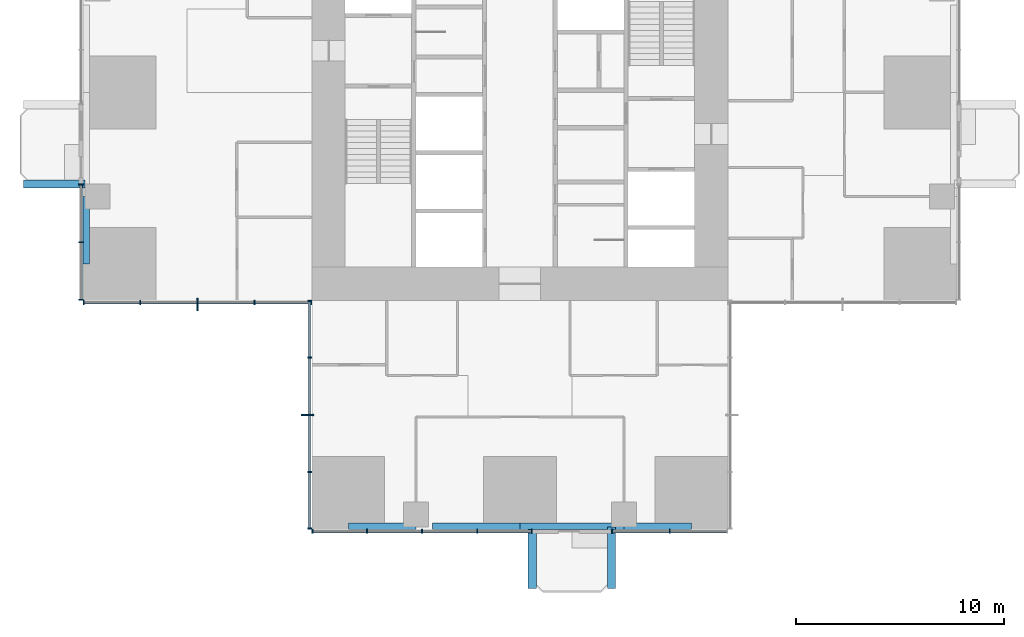
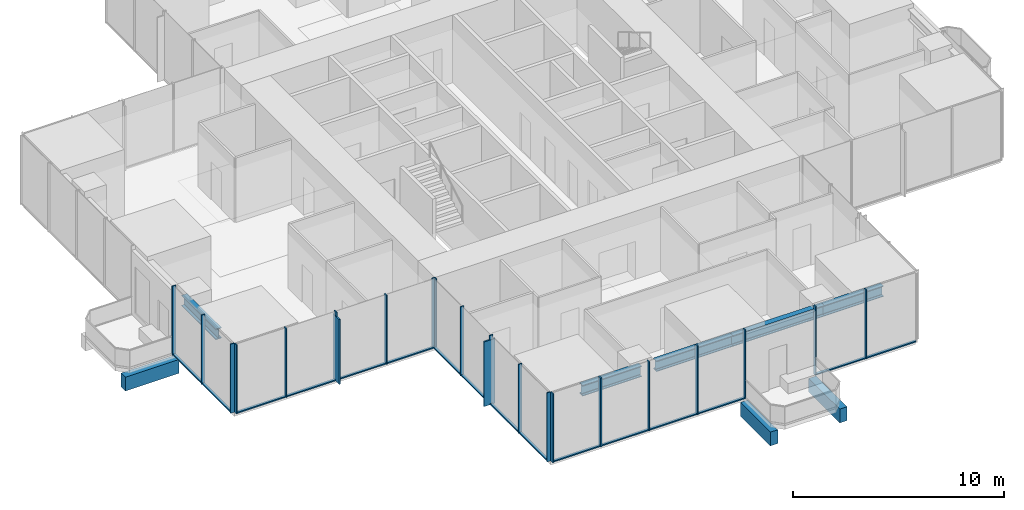
# One storey, part 2 of 13: 38 members, 8 beams, 5 elements without a shape of their own.
"""IFC4 building model written with IfcOpenShell, lengths in metres."""

from ifc_helpers import new_model, si_unit, direction, frame, origin, origin_2d, place, context, subcontext, project, spatial, rectangle, i_section, extrude, material, material_profile, profile_set, type_object, element, aggregate, save


model = new_model("IFC4")

# Units and contexts
model_context = context("Model", 3, precision=1e-05, world=origin(), true_north=direction((0.0, 1.0)))
body_context = subcontext(model_context, "Body", "Model", "MODEL_VIEW")
ifc_project = project(units=[si_unit("LENGTHUNIT", "METRE"), si_unit("AREAUNIT", "SQUARE_METRE"), si_unit("VOLUMEUNIT", "CUBIC_METRE"), si_unit("PLANEANGLEUNIT", "RADIAN"), si_unit("MASSUNIT", "GRAM", prefix="KILO")], contexts=[model_context])

# Site, building, storey
site_placement = place(None, origin())
site = spatial("IfcSite", under=ifc_project, at=site_placement, CompositionType="ELEMENT")
building_placement = place(site_placement, origin())
building = spatial("IfcBuilding", under=site, at=building_placement, Name="Svetlomir Tower", CompositionType="ELEMENT")
storey_placement = place(building_placement, frame((0.0, 0.0, 96.5)))
storey = spatial("IfcBuildingStorey", under=building, at=storey_placement, Name="L22", CompositionType="ELEMENT", Elevation=96.5)

# Beams
ifc_material_1 = material(Name="Concrete C60/75", Category="concrete")
ifc_material_profile_1 = material_profile(ifc_material_1, rectangle(XDim=0.39990234375, YDim=0.800048828125, at=origin_2d()), Name="RC 400x800")
ifc_profile_set_1 = profile_set([ifc_material_profile_1], Name="Concrete C60/75")
beam_type_1 = type_object("IfcBeamType", Name="BALCONY RIB RC 400x800", PredefinedType="BEAM", material=ifc_profile_set_1)
beam_1_placement = place(storey_placement, frame((21.60009765625, 0.0, -0.64990234375), z_axis=(0.0, -1.0, 0.0), x_axis=(1.0, 0.0, 0.0)))
element("IfcBeam", 1, at=beam_1_placement, inside=storey, type_object=beam_type_1, Name="Balcony rib S 1 L22", PredefinedType="BEAM", context=body_context, shape_type="SweptSolid", body=[
    extrude(rectangle(XDim=0.39990234375, YDim=0.800048828125, at=origin_2d()), origin(), (0.0, 0.0, 1.0), 2.85009765625),
])
for number, where, z_axis, x_axis, name in (
    (2, (25.39990234375, 0.10009765625, -0.64990234375), (0.0, -1.0, 0.0), (1.0, 0.0, 0.0), "Balcony rib S 2 L22"),
    (3, (0.10009765625, 16.60009765625, -0.64990234375), (-1.0, 0.0, 0.0), (0.0, -1.0, 0.0), "Balcony rib W 1 L22"),
):
    element("IfcBeam", number, at=place(storey_placement, frame(where, z_axis=z_axis, x_axis=x_axis)), inside=storey, type_object=beam_type_1, Name=name, PredefinedType="BEAM", context=body_context, shape_type="SweptSolid", body=[
        extrude(rectangle(XDim=0.39990234375, YDim=0.800048828125, at=origin_2d()), origin(), (0.0, 0.0, 1.0), 2.9501953125),
    ])

# Curtain wall, member
ifc_material_2 = material(Name="Bronze anodised aluminium curtain wall", Category="aluminium")
curtain_wall_type = type_object("IfcCurtainWallType", Name="CURTAIN WALL CW1 TOWER OFFICE", PredefinedType="NOTDEFINED", material=ifc_material_2)
curtain_wall_1_placement = place(storey_placement, origin())
curtain_wall_1 = element("IfcCurtainWall", 4, at=curtain_wall_1_placement, inside=storey, type_object=curtain_wall_type, Name="Curtain wall CW1 L22", PredefinedType="NOTDEFINED")
ifc_material_3 = material(Name="Bronze anodised aluminium", Category="aluminium")
ifc_material_profile_2 = material_profile(ifc_material_3, rectangle(XDim=0.080078125, YDim=0.60009765625, at=origin_2d()), Name="FIN 80x600")
ifc_profile_set_2 = profile_set([ifc_material_profile_2], Name="Bronze anodised aluminium 6063-T6")
member_type_1 = type_object("IfcMemberType", Name="BRONZE FIN 80x600", PredefinedType="USERDEFINED", material=ifc_profile_set_2)
member_1_placement = place(storey_placement, frame((5.5, 10.800048828125, 0.0), z_axis=(0.0, 0.0, 1.0), x_axis=(1.0, 0.0, 0.0)))
member_1 = element("IfcMember", 5, at=member_1_placement, type_object=member_type_1, Name="Bronze fin L22", ObjectType="FIN", PredefinedType="USERDEFINED", context=body_context, shape_type="SweptSolid", body=[
    extrude(rectangle(XDim=0.080078125, YDim=0.60009765625, at=origin_2d()), origin(), (0.0, 0.0, 1.0), 3.75),
])

curtain_wall_2_placement = place(storey_placement, origin())
curtain_wall_2 = element("IfcCurtainWall", 6, at=curtain_wall_2_placement, inside=storey, type_object=curtain_wall_type, Name="Curtain wall CW1 L22", PredefinedType="NOTDEFINED")
member_2_placement = place(storey_placement, frame((10.800048828125, 5.5, 0.0), z_axis=(0.0, 0.0, 1.0), x_axis=(0.0, 1.0, 0.0)))
member_2 = element("IfcMember", 7, at=member_2_placement, type_object=member_type_1, Name="Bronze fin L22", ObjectType="FIN", PredefinedType="USERDEFINED", context=body_context, shape_type="SweptSolid", body=[
    extrude(rectangle(XDim=0.080078125, YDim=0.60009765625, at=origin_2d()), origin(), (0.0, 0.0, 1.0), 3.75),
])

# Curtain wall, members
curtain_wall_3_placement = place(storey_placement, origin())
curtain_wall_3 = element("IfcCurtainWall", 8, at=curtain_wall_3_placement, inside=storey, type_object=curtain_wall_type, Name="Curtain wall CW1 L22", PredefinedType="NOTDEFINED")
ifc_material_4 = material(Name="Bronze anodised aluminium", Category="aluminium")
ifc_material_profile_3 = material_profile(ifc_material_4, rectangle(XDim=0.06494140625, YDim=0.199951171875, at=origin_2d()), Name="AL 65x200")
ifc_profile_set_3 = profile_set([ifc_material_profile_3], Name="Bronze anodised aluminium 6063-T6")
member_type_2 = type_object("IfcMemberType", Name="CW1 MULLION 65x200", PredefinedType="MULLION", material=ifc_profile_set_3)
member_3_placement = place(storey_placement, frame((11.032470703125, -0.10009765625, 0.0), z_axis=(0.0, 0.0, 1.0), x_axis=(1.0, 0.0, 0.0)))
member_3 = element("IfcMember", 9, at=member_3_placement, type_object=member_type_2, Name="CW1 mullion 1", PredefinedType="MULLION", context=body_context, shape_type="SweptSolid", body=[
    extrude(rectangle(XDim=0.06494140625, YDim=0.199951171875, at=origin_2d()), origin(), (0.0, 0.0, 1.0), 4.0),
])
member_4_placement = place(storey_placement, frame((13.64990234375, -0.10009765625, 0.0), z_axis=(0.0, 0.0, 1.0), x_axis=(1.0, 0.0, 0.0)))
member_4 = element("IfcMember", 10, at=member_4_placement, type_object=member_type_2, Name="CW1 mullion 2", PredefinedType="MULLION", context=body_context, shape_type="SweptSolid", body=[
    extrude(rectangle(XDim=0.06494140625, YDim=0.199951171875, at=origin_2d()), origin(), (0.0, 0.0, 1.0), 4.0),
])
member_5_placement = place(storey_placement, frame((16.300048828125, -0.10009765625, 0.0), z_axis=(0.0, 0.0, 1.0), x_axis=(1.0, 0.0, 0.0)))
member_5 = element("IfcMember", 11, at=member_5_placement, type_object=member_type_2, Name="CW1 mullion 3", PredefinedType="MULLION", context=body_context, shape_type="SweptSolid", body=[
    extrude(rectangle(XDim=0.06494140625, YDim=0.199951171875, at=origin_2d()), origin(), (0.0, 0.0, 1.0), 4.0),
])
member_6_placement = place(storey_placement, frame((18.949951171875, -0.10009765625, 0.0), z_axis=(0.0, 0.0, 1.0), x_axis=(1.0, 0.0, 0.0)))
member_6 = element("IfcMember", 12, at=member_6_placement, type_object=member_type_2, Name="CW1 mullion 4", PredefinedType="MULLION", context=body_context, shape_type="SweptSolid", body=[
    extrude(rectangle(XDim=0.06494140625, YDim=0.199951171875, at=origin_2d()), origin(), (0.0, 0.0, 1.0), 4.0),
])
member_7_placement = place(storey_placement, frame((21.5673828125, -0.10009765625, 0.0), z_axis=(0.0, 0.0, 1.0), x_axis=(1.0, 0.0, 0.0)))
member_7 = element("IfcMember", 13, at=member_7_placement, type_object=member_type_2, Name="CW1 mullion 5", PredefinedType="MULLION", context=body_context, shape_type="SweptSolid", body=[
    extrude(rectangle(XDim=0.06494140625, YDim=0.199951171875, at=origin_2d()), origin(), (0.0, 0.0, 1.0), 4.0),
])

curtain_wall_4_placement = place(storey_placement, origin())
curtain_wall_4 = element("IfcCurtainWall", 14, at=curtain_wall_4_placement, inside=storey, type_object=curtain_wall_type, Name="Curtain wall CW1 L22", PredefinedType="NOTDEFINED")
member_8_placement = place(storey_placement, frame((25.4326171875, -0.10009765625, 0.0), z_axis=(0.0, 0.0, 1.0), x_axis=(1.0, 0.0, 0.0)))
member_8 = element("IfcMember", 15, at=member_8_placement, type_object=member_type_2, Name="CW1 mullion 1", PredefinedType="MULLION", context=body_context, shape_type="SweptSolid", body=[
    extrude(rectangle(XDim=0.06494140625, YDim=0.199951171875, at=origin_2d()), origin(), (0.0, 0.0, 1.0), 4.0),
])
member_9_placement = place(storey_placement, frame((28.199951171875, -0.10009765625, 0.0), z_axis=(0.0, 0.0, 1.0), x_axis=(1.0, 0.0, 0.0)))
member_9 = element("IfcMember", 16, at=member_9_placement, type_object=member_type_2, Name="CW1 mullion 2", PredefinedType="MULLION", context=body_context, shape_type="SweptSolid", body=[
    extrude(rectangle(XDim=0.06494140625, YDim=0.199951171875, at=origin_2d()), origin(), (0.0, 0.0, 1.0), 4.0),
])

curtain_wall_5_placement = place(storey_placement, origin())
curtain_wall_5 = element("IfcCurtainWall", 17, at=curtain_wall_5_placement, inside=storey, type_object=curtain_wall_type, Name="Curtain wall CW1 L22", PredefinedType="NOTDEFINED")
member_10_placement = place(storey_placement, frame((-0.10009765625, 16.5673828125, 0.0), z_axis=(0.0, 0.0, 1.0), x_axis=(0.0, -1.0, 0.0)))
member_10 = element("IfcMember", 18, at=member_10_placement, type_object=member_type_2, Name="CW1 mullion 1", PredefinedType="MULLION", context=body_context, shape_type="SweptSolid", body=[
    extrude(rectangle(XDim=0.06494140625, YDim=0.199951171875, at=origin_2d()), origin(), (0.0, 0.0, 1.0), 4.0),
])
member_11_placement = place(storey_placement, frame((-0.10009765625, 13.800048828125, 0.0), z_axis=(0.0, 0.0, 1.0), x_axis=(0.0, -1.0, 0.0)))
member_11 = element("IfcMember", 19, at=member_11_placement, type_object=member_type_2, Name="CW1 mullion 2", PredefinedType="MULLION", context=body_context, shape_type="SweptSolid", body=[
    extrude(rectangle(XDim=0.06494140625, YDim=0.199951171875, at=origin_2d()), origin(), (0.0, 0.0, 1.0), 4.0),
])
member_12_placement = place(storey_placement, frame((-0.10009765625, 11.032470703125, 0.0), z_axis=(0.0, 0.0, 1.0), x_axis=(0.0, -1.0, 0.0)))
member_12 = element("IfcMember", 20, at=member_12_placement, type_object=member_type_2, Name="CW1 mullion 3", PredefinedType="MULLION", context=body_context, shape_type="SweptSolid", body=[
    extrude(rectangle(XDim=0.06494140625, YDim=0.199951171875, at=origin_2d()), origin(), (0.0, 0.0, 1.0), 4.0),
])

# Member
member_13_placement = place(storey_placement, frame((0.032470703125, 10.89990234375, 0.0), z_axis=(0.0, 0.0, 1.0), x_axis=(1.0, 0.0, 0.0)))
member_13 = element("IfcMember", 21, at=member_13_placement, type_object=member_type_2, Name="CW1 mullion 1", PredefinedType="MULLION", context=body_context, shape_type="SweptSolid", body=[
    extrude(rectangle(XDim=0.06494140625, YDim=0.199951171875, at=origin_2d()), origin(), (0.0, 0.0, 1.0), 4.0),
])

member_14_placement = place(storey_placement, frame((2.75, 10.89990234375, 0.0), z_axis=(0.0, 0.0, 1.0), x_axis=(1.0, 0.0, 0.0)))
member_14 = element("IfcMember", 22, at=member_14_placement, type_object=member_type_2, Name="CW1 mullion 2", PredefinedType="MULLION", context=body_context, shape_type="SweptSolid", body=[
    extrude(rectangle(XDim=0.06494140625, YDim=0.199951171875, at=origin_2d()), origin(), (0.0, 0.0, 1.0), 4.0),
])

member_15_placement = place(storey_placement, frame((5.5, 10.89990234375, 0.0), z_axis=(0.0, 0.0, 1.0), x_axis=(1.0, 0.0, 0.0)))
member_15 = element("IfcMember", 23, at=member_15_placement, type_object=member_type_2, Name="CW1 mullion 3", PredefinedType="MULLION", context=body_context, shape_type="SweptSolid", body=[
    extrude(rectangle(XDim=0.06494140625, YDim=0.199951171875, at=origin_2d()), origin(), (0.0, 0.0, 1.0), 4.0),
])

member_16_placement = place(storey_placement, frame((8.25, 10.89990234375, 0.0), z_axis=(0.0, 0.0, 1.0), x_axis=(1.0, 0.0, 0.0)))
member_16 = element("IfcMember", 24, at=member_16_placement, type_object=member_type_2, Name="CW1 mullion 4", PredefinedType="MULLION", context=body_context, shape_type="SweptSolid", body=[
    extrude(rectangle(XDim=0.06494140625, YDim=0.199951171875, at=origin_2d()), origin(), (0.0, 0.0, 1.0), 4.0),
])

member_17_placement = place(storey_placement, frame((10.967529296875, 10.89990234375, 0.0), z_axis=(0.0, 0.0, 1.0), x_axis=(1.0, 0.0, 0.0)))
member_17 = element("IfcMember", 25, at=member_17_placement, type_object=member_type_2, Name="CW1 mullion 5", PredefinedType="MULLION", context=body_context, shape_type="SweptSolid", body=[
    extrude(rectangle(XDim=0.06494140625, YDim=0.199951171875, at=origin_2d()), origin(), (0.0, 0.0, 1.0), 4.0),
])

member_18_placement = place(storey_placement, frame((10.89990234375, 10.967529296875, 0.0), z_axis=(0.0, 0.0, 1.0), x_axis=(0.0, -1.0, 0.0)))
member_18 = element("IfcMember", 26, at=member_18_placement, type_object=member_type_2, Name="CW1 mullion 1", PredefinedType="MULLION", context=body_context, shape_type="SweptSolid", body=[
    extrude(rectangle(XDim=0.06494140625, YDim=0.199951171875, at=origin_2d()), origin(), (0.0, 0.0, 1.0), 4.0),
])

member_19_placement = place(storey_placement, frame((10.89990234375, 8.25, 0.0), z_axis=(0.0, 0.0, 1.0), x_axis=(0.0, -1.0, 0.0)))
member_19 = element("IfcMember", 27, at=member_19_placement, type_object=member_type_2, Name="CW1 mullion 2", PredefinedType="MULLION", context=body_context, shape_type="SweptSolid", body=[
    extrude(rectangle(XDim=0.06494140625, YDim=0.199951171875, at=origin_2d()), origin(), (0.0, 0.0, 1.0), 4.0),
])

member_20_placement = place(storey_placement, frame((10.89990234375, 5.5, 0.0), z_axis=(0.0, 0.0, 1.0), x_axis=(0.0, -1.0, 0.0)))
member_20 = element("IfcMember", 28, at=member_20_placement, type_object=member_type_2, Name="CW1 mullion 3", PredefinedType="MULLION", context=body_context, shape_type="SweptSolid", body=[
    extrude(rectangle(XDim=0.06494140625, YDim=0.199951171875, at=origin_2d()), origin(), (0.0, 0.0, 1.0), 4.0),
])

member_21_placement = place(storey_placement, frame((10.89990234375, 2.75, 0.0), z_axis=(0.0, 0.0, 1.0), x_axis=(0.0, -1.0, 0.0)))
member_21 = element("IfcMember", 29, at=member_21_placement, type_object=member_type_2, Name="CW1 mullion 4", PredefinedType="MULLION", context=body_context, shape_type="SweptSolid", body=[
    extrude(rectangle(XDim=0.06494140625, YDim=0.199951171875, at=origin_2d()), origin(), (0.0, 0.0, 1.0), 4.0),
])

member_22_placement = place(storey_placement, frame((10.89990234375, 0.032470703125, 0.0), z_axis=(0.0, 0.0, 1.0), x_axis=(0.0, -1.0, 0.0)))
member_22 = element("IfcMember", 30, at=member_22_placement, type_object=member_type_2, Name="CW1 mullion 5", PredefinedType="MULLION", context=body_context, shape_type="SweptSolid", body=[
    extrude(rectangle(XDim=0.06494140625, YDim=0.199951171875, at=origin_2d()), origin(), (0.0, 0.0, 1.0), 4.0),
])

ifc_material_5 = material(Name="Bronze anodised aluminium", Category="aluminium")
ifc_material_profile_4 = material_profile(ifc_material_5, rectangle(XDim=0.139892578125, YDim=0.06494140625, at=origin_2d()), Name="AL 140x65")
ifc_profile_set_4 = profile_set([ifc_material_profile_4], Name="Bronze anodised aluminium 6063-T6")
member_type_3 = type_object("IfcMemberType", Name="CW1 TRANSOM 65x140", PredefinedType="USERDEFINED", material=ifc_profile_set_4)
member_23_placement = place(storey_placement, frame((11.06494140625, -0.10009765625, 0.032470703125), z_axis=(1.0, 0.0, 0.0), x_axis=(0.0, 1.0, 0.0)))
member_23 = element("IfcMember", 31, at=member_23_placement, type_object=member_type_3, Name="CW1 transom 1.1", ObjectType="TRANSOM", PredefinedType="USERDEFINED", context=body_context, shape_type="SweptSolid", body=[
    extrude(rectangle(XDim=0.139892578125, YDim=0.06494140625, at=origin_2d()), origin(), (0.0, 0.0, 1.0), 2.552490234375),
])

member_24_placement = place(storey_placement, frame((13.6826171875, -0.10009765625, 0.032470703125), z_axis=(1.0, 0.0, 0.0), x_axis=(0.0, 1.0, 0.0)))
member_24 = element("IfcMember", 32, at=member_24_placement, type_object=member_type_3, Name="CW1 transom 2.1", ObjectType="TRANSOM", PredefinedType="USERDEFINED", context=body_context, shape_type="SweptSolid", body=[
    extrude(rectangle(XDim=0.139892578125, YDim=0.06494140625, at=origin_2d()), origin(), (0.0, 0.0, 1.0), 2.5849609375),
])

member_25_placement = place(storey_placement, frame((16.33251953125, -0.10009765625, 0.032470703125), z_axis=(1.0, 0.0, 0.0), x_axis=(0.0, 1.0, 0.0)))
member_25 = element("IfcMember", 33, at=member_25_placement, type_object=member_type_3, Name="CW1 transom 3.1", ObjectType="TRANSOM", PredefinedType="USERDEFINED", context=body_context, shape_type="SweptSolid", body=[
    extrude(rectangle(XDim=0.139892578125, YDim=0.06494140625, at=origin_2d()), origin(), (0.0, 0.0, 1.0), 2.5849609375),
])

member_26_placement = place(storey_placement, frame((18.982421875, -0.10009765625, 0.032470703125), z_axis=(1.0, 0.0, 0.0), x_axis=(0.0, 1.0, 0.0)))
member_26 = element("IfcMember", 34, at=member_26_placement, type_object=member_type_3, Name="CW1 transom 4.1", ObjectType="TRANSOM", PredefinedType="USERDEFINED", context=body_context, shape_type="SweptSolid", body=[
    extrude(rectangle(XDim=0.139892578125, YDim=0.06494140625, at=origin_2d()), origin(), (0.0, 0.0, 1.0), 2.552490234375),
])

aggregate(curtain_wall_3, [member_3, member_4, member_5, member_6, member_7, member_23, member_24, member_25, member_26])

member_27_placement = place(storey_placement, frame((25.465087890625, -0.10009765625, 0.032470703125), z_axis=(1.0, 0.0, 0.0), x_axis=(0.0, 1.0, 0.0)))
member_27 = element("IfcMember", 35, at=member_27_placement, type_object=member_type_3, Name="CW1 transom 1.1", ObjectType="TRANSOM", PredefinedType="USERDEFINED", context=body_context, shape_type="SweptSolid", body=[
    extrude(rectangle(XDim=0.139892578125, YDim=0.06494140625, at=origin_2d()), origin(), (0.0, 0.0, 1.0), 2.702392578125),
])

member_28_placement = place(storey_placement, frame((28.232421875, -0.10009765625, 0.032470703125), z_axis=(1.0, 0.0, 0.0), x_axis=(0.0, 1.0, 0.0)))
member_28 = element("IfcMember", 36, at=member_28_placement, type_object=member_type_3, Name="CW1 transom 2.1", ObjectType="TRANSOM", PredefinedType="USERDEFINED", context=body_context, shape_type="SweptSolid", body=[
    extrude(rectangle(XDim=0.139892578125, YDim=0.06494140625, at=origin_2d()), origin(), (0.0, 0.0, 1.0), 2.70263671875),
])

aggregate(curtain_wall_4, [member_8, member_9, member_27, member_28])

member_29_placement = place(storey_placement, frame((-0.10009765625, 16.534912109375, 0.032470703125), z_axis=(0.0, -1.0, 0.0), x_axis=(1.0, 0.0, 0.0)))
member_29 = element("IfcMember", 37, at=member_29_placement, type_object=member_type_3, Name="CW1 transom 1.1", ObjectType="TRANSOM", PredefinedType="USERDEFINED", context=body_context, shape_type="SweptSolid", body=[
    extrude(rectangle(XDim=0.139892578125, YDim=0.06494140625, at=origin_2d()), origin(), (0.0, 0.0, 1.0), 2.702392578125),
])

member_30_placement = place(storey_placement, frame((-0.10009765625, 13.767578125, 0.032470703125), z_axis=(0.0, -1.0, 0.0), x_axis=(1.0, 0.0, 0.0)))
member_30 = element("IfcMember", 38, at=member_30_placement, type_object=member_type_3, Name="CW1 transom 2.1", ObjectType="TRANSOM", PredefinedType="USERDEFINED", context=body_context, shape_type="SweptSolid", body=[
    extrude(rectangle(XDim=0.139892578125, YDim=0.06494140625, at=origin_2d()), origin(), (0.0, 0.0, 1.0), 2.70263671875),
])

aggregate(curtain_wall_5, [member_10, member_11, member_12, member_29, member_30])

member_31_placement = place(storey_placement, frame((0.06494140625, 10.89990234375, 0.032470703125), z_axis=(1.0, 0.0, 0.0), x_axis=(0.0, 1.0, 0.0)))
member_31 = element("IfcMember", 39, at=member_31_placement, type_object=member_type_3, Name="CW1 transom 1.1", ObjectType="TRANSOM", PredefinedType="USERDEFINED", context=body_context, shape_type="SweptSolid", body=[
    extrude(rectangle(XDim=0.139892578125, YDim=0.06494140625, at=origin_2d()), origin(), (0.0, 0.0, 1.0), 2.652587890625),
])

member_32_placement = place(storey_placement, frame((2.782470703125, 10.89990234375, 0.032470703125), z_axis=(1.0, 0.0, 0.0), x_axis=(0.0, 1.0, 0.0)))
member_32 = element("IfcMember", 40, at=member_32_placement, type_object=member_type_3, Name="CW1 transom 2.1", ObjectType="TRANSOM", PredefinedType="USERDEFINED", context=body_context, shape_type="SweptSolid", body=[
    extrude(rectangle(XDim=0.139892578125, YDim=0.06494140625, at=origin_2d()), origin(), (0.0, 0.0, 1.0), 2.68505859375),
])

member_33_placement = place(storey_placement, frame((5.532470703125, 10.89990234375, 0.032470703125), z_axis=(1.0, 0.0, 0.0), x_axis=(0.0, 1.0, 0.0)))
member_33 = element("IfcMember", 41, at=member_33_placement, type_object=member_type_3, Name="CW1 transom 3.1", ObjectType="TRANSOM", PredefinedType="USERDEFINED", context=body_context, shape_type="SweptSolid", body=[
    extrude(rectangle(XDim=0.139892578125, YDim=0.06494140625, at=origin_2d()), origin(), (0.0, 0.0, 1.0), 2.68505859375),
])

member_34_placement = place(storey_placement, frame((8.282470703125, 10.89990234375, 0.032470703125), z_axis=(1.0, 0.0, 0.0), x_axis=(0.0, 1.0, 0.0)))
member_34 = element("IfcMember", 42, at=member_34_placement, type_object=member_type_3, Name="CW1 transom 4.1", ObjectType="TRANSOM", PredefinedType="USERDEFINED", context=body_context, shape_type="SweptSolid", body=[
    extrude(rectangle(XDim=0.139892578125, YDim=0.06494140625, at=origin_2d()), origin(), (0.0, 0.0, 1.0), 2.652587890625),
])

aggregate(curtain_wall_1, [member_13, member_14, member_15, member_16, member_17, member_31, member_32, member_33, member_34, member_1])

member_35_placement = place(storey_placement, frame((10.89990234375, 10.93505859375, 0.032470703125), z_axis=(0.0, -1.0, 0.0), x_axis=(1.0, 0.0, 0.0)))
member_35 = element("IfcMember", 43, at=member_35_placement, type_object=member_type_3, Name="CW1 transom 1.1", ObjectType="TRANSOM", PredefinedType="USERDEFINED", context=body_context, shape_type="SweptSolid", body=[
    extrude(rectangle(XDim=0.139892578125, YDim=0.06494140625, at=origin_2d()), origin(), (0.0, 0.0, 1.0), 2.652587890625),
])

member_36_placement = place(storey_placement, frame((10.89990234375, 8.217529296875, 0.032470703125), z_axis=(0.0, -1.0, 0.0), x_axis=(1.0, 0.0, 0.0)))
member_36 = element("IfcMember", 44, at=member_36_placement, type_object=member_type_3, Name="CW1 transom 2.1", ObjectType="TRANSOM", PredefinedType="USERDEFINED", context=body_context, shape_type="SweptSolid", body=[
    extrude(rectangle(XDim=0.139892578125, YDim=0.06494140625, at=origin_2d()), origin(), (0.0, 0.0, 1.0), 2.68505859375),
])

member_37_placement = place(storey_placement, frame((10.89990234375, 5.467529296875, 0.032470703125), z_axis=(0.0, -1.0, 0.0), x_axis=(1.0, 0.0, 0.0)))
member_37 = element("IfcMember", 45, at=member_37_placement, type_object=member_type_3, Name="CW1 transom 3.1", ObjectType="TRANSOM", PredefinedType="USERDEFINED", context=body_context, shape_type="SweptSolid", body=[
    extrude(rectangle(XDim=0.139892578125, YDim=0.06494140625, at=origin_2d()), origin(), (0.0, 0.0, 1.0), 2.68505859375),
])

member_38_placement = place(storey_placement, frame((10.89990234375, 2.717529296875, 0.032470703125), z_axis=(0.0, -1.0, 0.0), x_axis=(1.0, 0.0, 0.0)))
member_38 = element("IfcMember", 46, at=member_38_placement, type_object=member_type_3, Name="CW1 transom 4.1", ObjectType="TRANSOM", PredefinedType="USERDEFINED", context=body_context, shape_type="SweptSolid", body=[
    extrude(rectangle(XDim=0.139892578125, YDim=0.06494140625, at=origin_2d()), origin(), (0.0, 0.0, 1.0), 2.652587890625),
])

aggregate(curtain_wall_2, [member_18, member_19, member_20, member_21, member_22, member_35, member_36, member_37, member_38, member_2])

# Beams
ifc_material_6 = material(Name="Steel S355", Category="steel")
ifc_material_profile_5 = material_profile(ifc_material_6, i_section(OverallWidth=0.304931640625, OverallDepth=0.6201171875, WebThickness=0.02099609375, FlangeThickness=0.0400390625, FilletRadius=0.027099609375, at=origin_2d()), Name="HEM 600")
ifc_profile_set_5 = profile_set([ifc_material_profile_5], Name="Steel S355")
beam_type_2 = type_object("IfcBeamType", Name="EDGE BEAM HEM 600", PredefinedType="SPANDREL", material=ifc_profile_set_5)
for number, where, z_axis, x_axis, name in (
    (47, (12.75, 0.152587890625, 3.43994140625), (1.0, 0.0, 0.0), (0.0, 1.0, 0.0), "Edge beam 11/0 to 16/0 under L23"),
    (48, (0.152587890625, 12.75, 3.43994140625), (0.0, 1.0, 0.0), (-1.0, 0.0, 0.0), "Edge beam 0/11 to 0/16 under L23"),
):
    element("IfcBeam", number, at=place(storey_placement, frame(where, z_axis=z_axis, x_axis=x_axis)), inside=storey, type_object=beam_type_2, Name=name, PredefinedType="SPANDREL", context=body_context, shape_type="SweptSolid", body=[
        extrude(i_section(OverallWidth=0.304931640625, OverallDepth=0.6201171875, WebThickness=0.02099609375, FlangeThickness=0.0400390625, FilletRadius=0.027099609375, at=origin_2d()), origin(), (0.0, 0.0, 1.0), 3.25),
    ])
beam_2_placement = place(storey_placement, frame((16.800048828125, 0.152587890625, 3.43994140625), z_axis=(1.0, 0.0, 0.0), x_axis=(0.0, 1.0, 0.0)))
element("IfcBeam", 49, at=beam_2_placement, inside=storey, type_object=beam_type_2, Name="Edge beam 16/0 to 21/0 under L23", PredefinedType="SPANDREL", context=body_context, shape_type="SweptSolid", body=[
    extrude(i_section(OverallWidth=0.304931640625, OverallDepth=0.6201171875, WebThickness=0.02099609375, FlangeThickness=0.0400390625, FilletRadius=0.027099609375, at=origin_2d()), origin(), (0.0, 0.0, 1.0), 4.199951171875),
])
beam_3_placement = place(storey_placement, frame((21.0, 0.152587890625, 3.43994140625), z_axis=(1.0, 0.0, 0.0), x_axis=(0.0, 1.0, 0.0)))
element("IfcBeam", 50, at=beam_3_placement, inside=storey, type_object=beam_type_2, Name="Edge beam 21/0 to 26/0 under L23", PredefinedType="SPANDREL", context=body_context, shape_type="SweptSolid", body=[
    extrude(i_section(OverallWidth=0.304931640625, OverallDepth=0.6201171875, WebThickness=0.02099609375, FlangeThickness=0.0400390625, FilletRadius=0.027099609375, at=origin_2d()), origin(), (0.0, 0.0, 1.0), 5.0),
])
beam_4_placement = place(storey_placement, frame((26.0, 0.152587890625, 3.43994140625), z_axis=(1.0, 0.0, 0.0), x_axis=(0.0, 1.0, 0.0)))
element("IfcBeam", 51, at=beam_4_placement, inside=storey, type_object=beam_type_2, Name="Edge beam 26/0 to 31/0 under L23", PredefinedType="SPANDREL", context=body_context, shape_type="SweptSolid", body=[
    extrude(i_section(OverallWidth=0.304931640625, OverallDepth=0.6201171875, WebThickness=0.02099609375, FlangeThickness=0.0400390625, FilletRadius=0.027099609375, at=origin_2d()), origin(), (0.0, 0.0, 1.0), 3.25),
])

save(model, "model.ifc")
